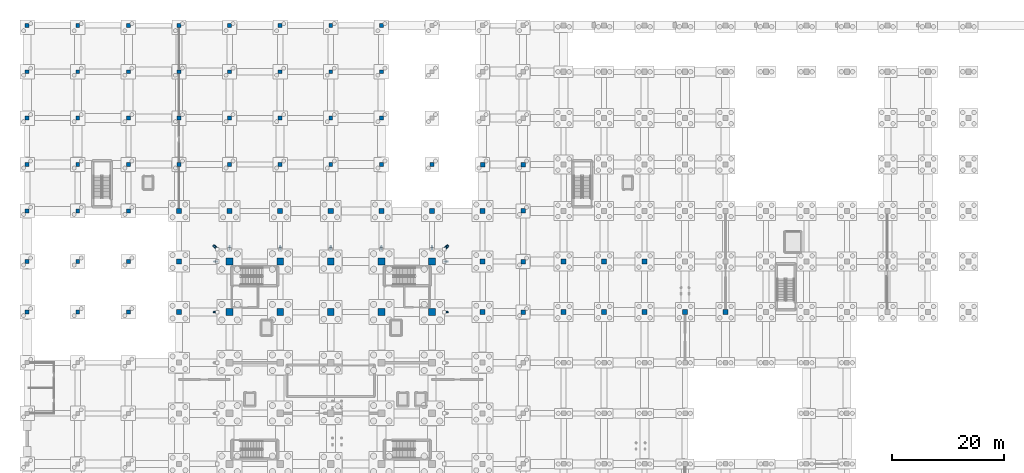
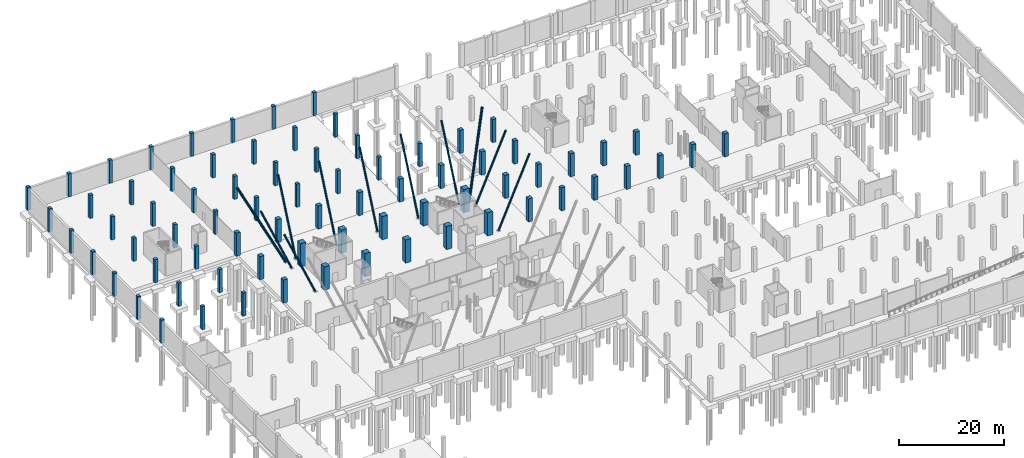
# One storey, part 16 of 42: 87 columns.
"""IFC4 building model written with IfcOpenShell, lengths in metres."""

from ifc_helpers import new_model, si_unit, direction, frame, origin, origin_2d, place, context, subcontext, project, spatial, rectangle, hollow_circle, extrude, material, material_profile, profile_set, type_object, element, save


model = new_model("IFC4")

# Units and contexts
model_context = context("Model", 3, precision=1e-05, world=origin(), true_north=direction((0.0, 1.0)))
body_context = subcontext(model_context, "Body", "Model", "MODEL_VIEW")
ifc_project = project(units=[si_unit("LENGTHUNIT", "METRE"), si_unit("AREAUNIT", "SQUARE_METRE"), si_unit("VOLUMEUNIT", "CUBIC_METRE"), si_unit("PLANEANGLEUNIT", "RADIAN"), si_unit("MASSUNIT", "GRAM", prefix="KILO")], contexts=[model_context])

# Site, building, storey
site_placement = place(None, origin())
site = spatial("IfcSite", under=ifc_project, at=site_placement, CompositionType="ELEMENT")
building_placement = place(site_placement, origin())
building = spatial("IfcBuilding", under=site, at=building_placement, Name="Sundgate Opera House", CompositionType="ELEMENT")
storey_placement = place(building_placement, frame((0.0, 0.0, -5.39990234375)))
storey = spatial("IfcBuildingStorey", under=building, at=storey_placement, Name="B01", CompositionType="ELEMENT", Elevation=-5.39990234375)

# Columns
ifc_material_1 = material(Name="Steel S355ML", Category="steel")
ifc_material_profile_1 = material_profile(ifc_material_1, hollow_circle(Radius=0.203125, WallThickness=0.02001953125, at=origin_2d()), Name="CHS 406.4x20.0")
ifc_profile_set_1 = profile_set([ifc_material_profile_1], Name="Steel S355ML")
column_type_1 = type_object("IfcColumnType", Name="CL-CHS-406", PredefinedType="COLUMN", material=ifc_profile_set_1)
for number, where, z_axis, x_axis, name in (
    (1, (36.0, 80.199951171875, 0.0), (0.0, 0.400670920662, 0.916222032772), (-1.0, 0.0, 0.0), "Cantilever Raking Column C1269"),
    (2, (45.0, 80.199951171875, 0.0), (0.0, 0.400670920662, 0.916222032772), (-1.0, 0.0, 0.0), "Cantilever Raking Column C1270"),
    (3, (54.0, 80.199951171875, 0.0), (0.0, 0.400670920662, 0.916222032772), (-1.0, 0.0, 0.0), "Cantilever Raking Column C1271"),
    (4, (63.0, 80.199951171875, 0.0), (0.0, 0.400670920662, 0.916222032772), (-1.0, 0.0, 0.0), "Cantilever Raking Column C1272"),
    (5, (72.0, 80.199951171875, 0.0), (0.0, 0.400670920662, 0.916222032772), (-1.0, 0.0, 0.0), "Cantilever Raking Column C1273"),
    (6, (33.800048828125, 69.0, 0.0), (-0.400670920662, 0.0, 0.916222032772), (0.0, -1.0, 0.0), "Cantilever Raking Column C1277"),
    (7, (33.800048828125, 78.0, 0.0), (-0.400670920662, 0.0, 0.916222032772), (0.0, -1.0, 0.0), "Cantilever Raking Column C1278"),
    (8, (74.199951171875, 69.0, 0.0), (0.400670920662, 0.0, 0.916222032772), (0.0, 1.0, 0.0), "Cantilever Raking Column C1282"),
    (9, (74.199951171875, 78.0, 0.0), (0.400670920662, 0.0, 0.916222032772), (0.0, 1.0, 0.0), "Cantilever Raking Column C1283"),
):
    element("IfcColumn", number, at=place(storey_placement, frame(where, z_axis=z_axis, x_axis=x_axis)), inside=storey, type_object=column_type_1, Name=name, PredefinedType="COLUMN", context=body_context, shape_type="SweptSolid", body=[
        extrude(hollow_circle(Radius=0.203125, WallThickness=0.02001953125, at=origin_2d()), origin(), (0.0, 0.0, 1.0), 16.9716796875),
    ])
ifc_material_2 = material(Name="Steel S355ML", Category="steel")
ifc_material_profile_2 = material_profile(ifc_material_2, hollow_circle(Radius=0.25390625, WallThickness=0.02490234375, at=origin_2d()), Name="CHS 508x25.0")
ifc_profile_set_2 = profile_set([ifc_material_profile_2], Name="Steel S355ML")
column_type_2 = type_object("IfcColumnType", Name="CL-CHS-508", PredefinedType="COLUMN", material=ifc_profile_set_2)
for number, where, z_axis, x_axis, name in (
    (10, (33.800048828125, 80.199951171875, 0.0), (-0.371927502201, 0.371927502201, 0.850493895459), (-0.707106781187, -0.707106781187, 0.0), "Cantilever Raking Column C1286"),
    (11, (74.199951171875, 80.199951171875, 0.0), (0.371927502201, 0.371927502201, 0.850493895459), (-0.707106781187, 0.707106781187, 0.0), "Cantilever Raking Column C1287"),
):
    element("IfcColumn", number, at=place(storey_placement, frame(where, z_axis=z_axis, x_axis=x_axis)), inside=storey, type_object=column_type_2, Name=name, PredefinedType="COLUMN", context=body_context, shape_type="SweptSolid", body=[
        extrude(hollow_circle(Radius=0.25390625, WallThickness=0.02490234375, at=origin_2d()), origin(), (0.0, 0.0, 1.0), 18.283203125),
    ])
ifc_material_3 = material(Name="Concrete C45/55", Category="concrete")
ifc_material_profile_3 = material_profile(ifc_material_3, rectangle(XDim=1.199951171875, YDim=1.199951171875, at=origin_2d()), Name="RC 1200x1200")
ifc_profile_set_3 = profile_set([ifc_material_profile_3], Name="Concrete C45/55")
column_type_3 = type_object("IfcColumnType", Name="CL-RC-1200", PredefinedType="COLUMN", material=ifc_profile_set_3)
for number, where, z_axis, x_axis, name in (
    (12, (36.0, 69.0, 0.0), (0.0, 0.0, 1.0), (1.0, 0.0, 0.0), "B01 Column C0240"),
    (13, (36.0, 78.0, 0.0), (0.0, 0.0, 1.0), (1.0, 0.0, 0.0), "B01 Column C0248"),
    (14, (45.0, 69.0, 0.0), (0.0, 0.0, 1.0), (1.0, 0.0, 0.0), "B01 Column C0300"),
    (15, (45.0, 78.0, 0.0), (0.0, 0.0, 1.0), (1.0, 0.0, 0.0), "B01 Column C0308"),
    (16, (54.0, 69.0, 0.0), (0.0, 0.0, 1.0), (1.0, 0.0, 0.0), "B01 Column C0360"),
    (17, (54.0, 78.0, 0.0), (0.0, 0.0, 1.0), (1.0, 0.0, 0.0), "B01 Column C0363"),
    (18, (63.0, 69.0, 0.0), (0.0, 0.0, 1.0), (1.0, 0.0, 0.0), "B01 Column C0416"),
    (19, (63.0, 78.0, 0.0), (0.0, 0.0, 1.0), (1.0, 0.0, 0.0), "B01 Column C0424"),
    (20, (72.0, 69.0, 0.0), (0.0, 0.0, 1.0), (1.0, 0.0, 0.0), "B01 Column C0483"),
    (21, (72.0, 78.0, 0.0), (0.0, 0.0, 1.0), (1.0, 0.0, 0.0), "B01 Column C0491"),
):
    element("IfcColumn", number, at=place(storey_placement, frame(where, z_axis=z_axis, x_axis=x_axis)), inside=storey, type_object=column_type_3, Name=name, PredefinedType="COLUMN", context=body_context, shape_type="SweptSolid", body=[
        extrude(rectangle(XDim=1.199951171875, YDim=1.199951171875, at=origin_2d()), origin(), (0.0, 0.0, 1.0), 5.39990234375),
    ])
ifc_material_4 = material(Name="Concrete C40/50", Category="concrete")
ifc_material_profile_4 = material_profile(ifc_material_4, rectangle(XDim=0.699951171875, YDim=0.699951171875, at=origin_2d()), Name="RC 700x700")
ifc_profile_set_4 = profile_set([ifc_material_profile_4], Name="Concrete C40/50")
column_type_4 = type_object("IfcColumnType", Name="CL-RC-700", PredefinedType="COLUMN", material=ifc_profile_set_4)
for number, where, z_axis, x_axis, name in (
    (22, (0.0, 69.0, 0.0), (0.0, 0.0, 1.0), (1.0, 0.0, 0.0), "B01 Column C0025"),
    (23, (0.0, 78.0, 0.0), (0.0, 0.0, 1.0), (1.0, 0.0, 0.0), "B01 Column C0027"),
    (24, (0.0, 87.0, 0.0), (0.0, 0.0, 1.0), (1.0, 0.0, 0.0), "B01 Column C0029"),
    (25, (0.0, 95.25, 0.0), (0.0, 0.0, 1.0), (1.0, 0.0, 0.0), "B01 Column C0033"),
    (26, (0.0, 103.5, 0.0), (0.0, 0.0, 1.0), (1.0, 0.0, 0.0), "B01 Column C0037"),
    (27, (0.0, 111.75, 0.0), (0.0, 0.0, 1.0), (1.0, 0.0, 0.0), "B01 Column C0041"),
    (28, (0.0, 120.0, 0.0), (0.0, 0.0, 1.0), (1.0, 0.0, 0.0), "B01 Column C0045"),
    (29, (9.0, 69.0, 0.0), (0.0, 0.0, 1.0), (1.0, 0.0, 0.0), "B01 Column C0073"),
    (30, (9.0, 78.0, 0.0), (0.0, 0.0, 1.0), (1.0, 0.0, 0.0), "B01 Column C0075"),
    (31, (9.0, 87.0, 0.0), (0.0, 0.0, 1.0), (1.0, 0.0, 0.0), "B01 Column C0077"),
    (32, (9.0, 95.25, 0.0), (0.0, 0.0, 1.0), (1.0, 0.0, 0.0), "B01 Column C0082"),
    (33, (9.0, 103.5, 0.0), (0.0, 0.0, 1.0), (1.0, 0.0, 0.0), "B01 Column C0087"),
    (34, (9.0, 111.75, 0.0), (0.0, 0.0, 1.0), (1.0, 0.0, 0.0), "B01 Column C0092"),
    (35, (9.0, 120.0, 0.0), (0.0, 0.0, 1.0), (1.0, 0.0, 0.0), "B01 Column C0097"),
    (36, (18.0, 69.0, 0.0), (0.0, 0.0, 1.0), (1.0, 0.0, 0.0), "B01 Column C0122"),
    (37, (18.0, 78.0, 0.0), (0.0, 0.0, 1.0), (1.0, 0.0, 0.0), "B01 Column C0124"),
    (38, (18.0, 87.0, 0.0), (0.0, 0.0, 1.0), (1.0, 0.0, 0.0), "B01 Column C0126"),
    (39, (18.0, 95.25, 0.0), (0.0, 0.0, 1.0), (1.0, 0.0, 0.0), "B01 Column C0131"),
    (40, (18.0, 103.5, 0.0), (0.0, 0.0, 1.0), (1.0, 0.0, 0.0), "B01 Column C0136"),
    (41, (18.0, 111.75, 0.0), (0.0, 0.0, 1.0), (1.0, 0.0, 0.0), "B01 Column C0141"),
    (42, (18.0, 120.0, 0.0), (0.0, 0.0, 1.0), (1.0, 0.0, 0.0), "B01 Column C0146"),
    (43, (27.0, 95.25, 0.0), (0.0, 0.0, 1.0), (1.0, 0.0, 0.0), "B01 Column C0197"),
    (44, (27.0, 103.5, 0.0), (0.0, 0.0, 1.0), (1.0, 0.0, 0.0), "B01 Column C0202"),
    (45, (27.0, 111.75, 0.0), (0.0, 0.0, 1.0), (1.0, 0.0, 0.0), "B01 Column C0207"),
    (46, (27.0, 120.0, 0.0), (0.0, 0.0, 1.0), (1.0, 0.0, 0.0), "B01 Column C0212"),
    (47, (36.0, 95.25, 0.0), (0.0, 0.0, 1.0), (1.0, 0.0, 0.0), "B01 Column C0262"),
    (48, (36.0, 103.5, 0.0), (0.0, 0.0, 1.0), (1.0, 0.0, 0.0), "B01 Column C0267"),
    (49, (36.0, 111.75, 0.0), (0.0, 0.0, 1.0), (1.0, 0.0, 0.0), "B01 Column C0272"),
    (50, (36.0, 120.0, 0.0), (0.0, 0.0, 1.0), (1.0, 0.0, 0.0), "B01 Column C0277"),
    (51, (45.0, 95.25, 0.0), (0.0, 0.0, 1.0), (1.0, 0.0, 0.0), "B01 Column C0322"),
    (52, (45.0, 103.5, 0.0), (0.0, 0.0, 1.0), (1.0, 0.0, 0.0), "B01 Column C0327"),
    (53, (45.0, 111.75, 0.0), (0.0, 0.0, 1.0), (1.0, 0.0, 0.0), "B01 Column C0332"),
    (54, (45.0, 120.0, 0.0), (0.0, 0.0, 1.0), (1.0, 0.0, 0.0), "B01 Column C0337"),
    (55, (54.0, 95.25, 0.0), (0.0, 0.0, 1.0), (1.0, 0.0, 0.0), "B01 Column C0377"),
    (56, (54.0, 103.5, 0.0), (0.0, 0.0, 1.0), (1.0, 0.0, 0.0), "B01 Column C0382"),
    (57, (54.0, 111.75, 0.0), (0.0, 0.0, 1.0), (1.0, 0.0, 0.0), "B01 Column C0387"),
    (58, (54.0, 120.0, 0.0), (0.0, 0.0, 1.0), (1.0, 0.0, 0.0), "B01 Column C0392"),
    (59, (63.0, 95.25, 0.0), (0.0, 0.0, 1.0), (1.0, 0.0, 0.0), "B01 Column C0438"),
    (60, (63.0, 103.5, 0.0), (0.0, 0.0, 1.0), (1.0, 0.0, 0.0), "B01 Column C0443"),
    (61, (63.0, 111.75, 0.0), (0.0, 0.0, 1.0), (1.0, 0.0, 0.0), "B01 Column C0448"),
    (62, (63.0, 120.0, 0.0), (0.0, 0.0, 1.0), (1.0, 0.0, 0.0), "B01 Column C0453"),
    (63, (72.0, 95.25, 0.0), (0.0, 0.0, 1.0), (1.0, 0.0, 0.0), "B01 Column C0505"),
):
    element("IfcColumn", number, at=place(storey_placement, frame(where, z_axis=z_axis, x_axis=x_axis)), inside=storey, type_object=column_type_4, Name=name, PredefinedType="COLUMN", context=body_context, shape_type="SweptSolid", body=[
        extrude(rectangle(XDim=0.699951171875, YDim=0.699951171875, at=origin_2d()), origin(), (0.0, 0.0, 1.0), 5.39990234375),
    ])
ifc_material_5 = material(Name="Concrete C40/50", Category="concrete")
ifc_material_profile_5 = material_profile(ifc_material_5, rectangle(XDim=0.800048828125, YDim=0.800048828125, at=origin_2d()), Name="RC 800x800")
ifc_profile_set_5 = profile_set([ifc_material_profile_5], Name="Concrete C40/50")
column_type_5 = type_object("IfcColumnType", Name="CL-RC-800", PredefinedType="COLUMN", material=ifc_profile_set_5)
for number, where, z_axis, x_axis, name in (
    (64, (81.0, 95.25, 0.0), (0.0, 0.0, 1.0), (1.0, 0.0, 0.0), "B01 Column C0568"),
    (65, (88.199951171875, 69.0, 0.0), (0.0, 0.0, 1.0), (1.0, 0.0, 0.0), "B01 Column C0604"),
    (66, (88.199951171875, 78.0, 0.0), (0.0, 0.0, 1.0), (1.0, 0.0, 0.0), "B01 Column C0607"),
    (67, (88.199951171875, 87.0, 0.0), (0.0, 0.0, 1.0), (1.0, 0.0, 0.0), "B01 Column C0610"),
    (68, (88.199951171875, 95.25, 0.0), (0.0, 0.0, 1.0), (1.0, 0.0, 0.0), "B01 Column C0613"),
):
    element("IfcColumn", number, at=place(storey_placement, frame(where, z_axis=z_axis, x_axis=x_axis)), inside=storey, type_object=column_type_5, Name=name, PredefinedType="COLUMN", context=body_context, shape_type="SweptSolid", body=[
        extrude(rectangle(XDim=0.800048828125, YDim=0.800048828125, at=origin_2d()), origin(), (0.0, 0.0, 1.0), 5.39990234375),
    ])
ifc_material_6 = material(Name="Concrete C40/50", Category="concrete")
ifc_material_profile_6 = material_profile(ifc_material_6, rectangle(XDim=0.89990234375, YDim=0.89990234375, at=origin_2d()), Name="RC 900x900")
ifc_profile_set_6 = profile_set([ifc_material_profile_6], Name="Concrete C40/50")
column_type_6 = type_object("IfcColumnType", Name="CL-RC-900", PredefinedType="COLUMN", material=ifc_profile_set_6)
for number, where, z_axis, x_axis, name in (
    (69, (27.0, 69.0, 0.0), (0.0, 0.0, 1.0), (1.0, 0.0, 0.0), "B01 Column C0179"),
    (70, (27.0, 78.0, 0.0), (0.0, 0.0, 1.0), (1.0, 0.0, 0.0), "B01 Column C0185"),
    (71, (27.0, 87.0, 0.0), (0.0, 0.0, 1.0), (1.0, 0.0, 0.0), "B01 Column C0191"),
    (72, (36.0, 87.0, 0.0), (0.0, 0.0, 1.0), (1.0, 0.0, 0.0), "B01 Column C0256"),
    (73, (45.0, 87.0, 0.0), (0.0, 0.0, 1.0), (1.0, 0.0, 0.0), "B01 Column C0316"),
    (74, (54.0, 87.0, 0.0), (0.0, 0.0, 1.0), (1.0, 0.0, 0.0), "B01 Column C0371"),
    (75, (63.0, 87.0, 0.0), (0.0, 0.0, 1.0), (1.0, 0.0, 0.0), "B01 Column C0432"),
    (76, (72.0, 87.0, 0.0), (0.0, 0.0, 1.0), (1.0, 0.0, 0.0), "B01 Column C0499"),
    (77, (81.0, 69.0, 0.0), (0.0, 0.0, 1.0), (1.0, 0.0, 0.0), "B01 Column C0550"),
    (78, (81.0, 78.0, 0.0), (0.0, 0.0, 1.0), (1.0, 0.0, 0.0), "B01 Column C0556"),
    (79, (81.0, 87.0, 0.0), (0.0, 0.0, 1.0), (1.0, 0.0, 0.0), "B01 Column C0562"),
    (80, (95.39990234375, 69.0, 0.0), (0.0, 0.0, 1.0), (1.0, 0.0, 0.0), "B01 Column C0656"),
    (81, (95.39990234375, 78.0, 0.0), (0.0, 0.0, 1.0), (1.0, 0.0, 0.0), "B01 Column C0662"),
    (82, (102.60009765625, 69.0, 0.0), (0.0, 0.0, 1.0), (1.0, 0.0, 0.0), "B01 Column C0720"),
    (83, (102.60009765625, 78.0, 0.0), (0.0, 0.0, 1.0), (1.0, 0.0, 0.0), "B01 Column C0726"),
    (84, (109.800048828125, 69.0, 0.0), (0.0, 0.0, 1.0), (1.0, 0.0, 0.0), "B01 Column C0784"),
    (85, (109.800048828125, 78.0, 0.0), (0.0, 0.0, 1.0), (1.0, 0.0, 0.0), "B01 Column C0790"),
    (86, (117.0, 69.0, 0.0), (0.0, 0.0, 1.0), (1.0, 0.0, 0.0), "B01 Column C0848"),
    (87, (124.199951171875, 69.0, 0.0), (0.0, 0.0, 1.0), (1.0, 0.0, 0.0), "B01 Column C0908"),
):
    element("IfcColumn", number, at=place(storey_placement, frame(where, z_axis=z_axis, x_axis=x_axis)), inside=storey, type_object=column_type_6, Name=name, PredefinedType="COLUMN", context=body_context, shape_type="SweptSolid", body=[
        extrude(rectangle(XDim=0.89990234375, YDim=0.89990234375, at=origin_2d()), origin(), (0.0, 0.0, 1.0), 5.39990234375),
    ])

save(model, "model.ifc")
